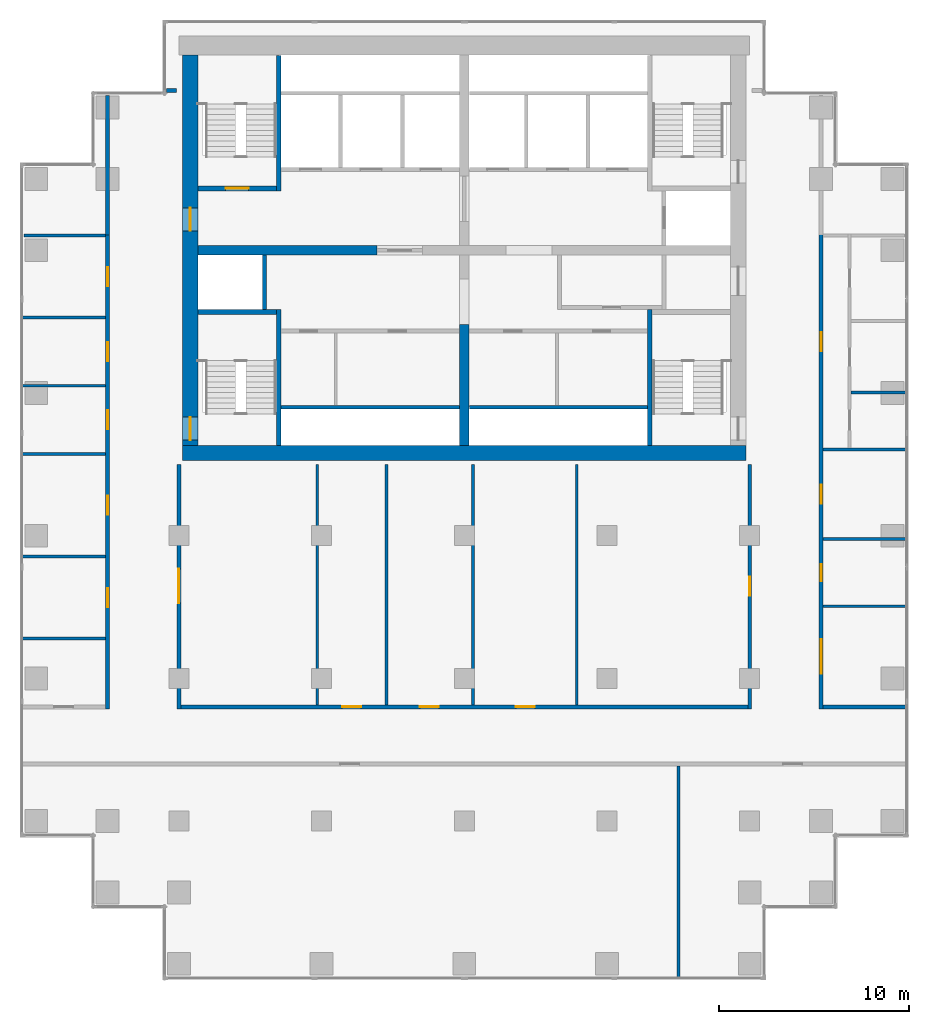
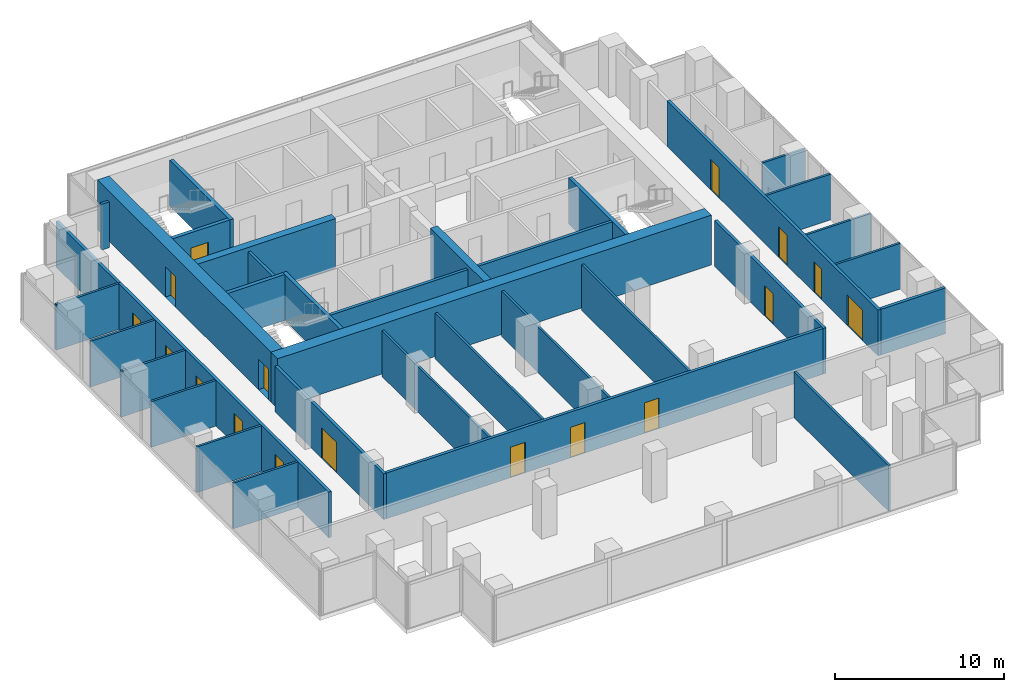
# One storey, part 7 of 10: 35 walls, 17 doors, 17 openings.
"""IFC4 building model written with IfcOpenShell, lengths in metres."""

from ifc_helpers import new_model, si_unit, direction, frame, frame_2d, origin, place, context, subcontext, project, spatial, rectangle, extrude, material, layer, layer_set, type_object, element, fill, save


model = new_model("IFC4")

# Units and contexts
model_context = context("Model", 3, precision=1e-05, world=origin(), true_north=direction((0.0, 1.0)))
body_context = subcontext(model_context, "Body", "Model", "MODEL_VIEW")
ifc_project = project(units=[si_unit("LENGTHUNIT", "METRE"), si_unit("AREAUNIT", "SQUARE_METRE"), si_unit("VOLUMEUNIT", "CUBIC_METRE"), si_unit("PLANEANGLEUNIT", "RADIAN"), si_unit("MASSUNIT", "GRAM", prefix="KILO")], contexts=[model_context])

# Site, building, storey
site_placement = place(None, origin())
site = spatial("IfcSite", under=ifc_project, at=site_placement, CompositionType="ELEMENT")
building_placement = place(site_placement, origin())
building = spatial("IfcBuilding", under=site, at=building_placement, Name="Pilkhan Gate Tower", CompositionType="ELEMENT")
storey_placement = place(building_placement, frame((0.0, 0.0, 176.5)))
storey = spatial("IfcBuildingStorey", under=building, at=storey_placement, Name="L45", CompositionType="ELEMENT", Elevation=176.5)

# Wall
ifc_material_1 = material(Name="Concrete C60/75", Category="concrete")
ifc_layer_1 = layer(ifc_material_1, 0.800048828125)
ifc_layer_set_1 = layer_set([ifc_layer_1], Name="Core wall CW800 C60/75")
wall_type_1 = type_object("IfcWallType", Name="Core wall CW800 C60/75", PredefinedType="SHEAR", material=ifc_layer_set_1)
wall_1_placement = place(storey_placement, frame((60.199951171875, 71.85009765625, 0.0), z_axis=(0.0, 0.0, 1.0), x_axis=(1.0, 0.0, 0.0)))
element("IfcWall", 1, at=wall_1_placement, inside=storey, type_object=wall_type_1, Name="Core wall S L45", PredefinedType="SHEAR", context=body_context, shape_type="SweptSolid", body=[
    extrude(rectangle(XDim=29.60009765625, YDim=0.800048828125, at=frame_2d((14.800048828125, 0.0))), origin(), (0.0, 0.0, 1.0), 3.60009765625),
])

# Wall, openings, doors
wall_2_placement = place(storey_placement, frame((60.60009765625, 92.75, 0.0), z_axis=(0.0, 0.0, 1.0), x_axis=(0.0, -1.0, 0.0)))
wall_2 = element("IfcWall", 2, at=wall_2_placement, inside=storey, type_object=wall_type_1, Name="Core wall W L45", PredefinedType="SHEAR", context=body_context, shape_type="SweptSolid", body=[
    extrude(rectangle(XDim=20.5, YDim=0.800048828125, at=frame_2d((10.25, 0.0))), origin(), (0.0, 0.0, 1.0), 3.60009765625),
])
opening_1_placement = place(wall_2_placement, frame((19.02490234375, 0.0, 0.0)))
opening_1 = element("IfcOpeningElement", 3, at=opening_1_placement, cuts=wall_2, Name="Opening L45-04", PredefinedType="OPENING", context=body_context, shape_type="SweptSolid", body=[
    extrude(rectangle(XDim=1.199951171875, YDim=2.199951171875, at=frame_2d((0.60009765625, 1.10009765625))), frame((0.0, 0.409912109375, 0.0), z_axis=(0.0, -1.0, 0.0), x_axis=(1.0, 0.0, 0.0)), (0.0, 0.0, 1.0), 0.820068359375),
])
opening_2_placement = place(wall_2_placement, frame((8.02490234375, 0.0, 0.0)))
opening_2 = element("IfcOpeningElement", 4, at=opening_2_placement, cuts=wall_2, Name="Opening L45-10", PredefinedType="OPENING", context=body_context, shape_type="SweptSolid", body=[
    extrude(rectangle(XDim=1.199951171875, YDim=2.199951171875, at=frame_2d((0.60009765625, 1.10009765625))), frame((0.0, 0.409912109375, 0.0), z_axis=(0.0, -1.0, 0.0), x_axis=(1.0, 0.0, 0.0)), (0.0, 0.0, 1.0), 0.820068359375),
])
ifc_material_2 = material(Name="Steel door, 120 minute fire resisting, self-closing", Category="steel")
door_type_1 = type_object("IfcDoorType", Name="Firefighting lobby door D10 1200x2200", OperationType="SINGLE_SWING_LEFT", PredefinedType="DOOR", material=ifc_material_2)
door_1_placement = place(opening_2_placement, origin())
door_1 = element("IfcDoor", 5, at=door_1_placement, inside=storey, type_object=door_type_1, Name="Core door", OperationType="SINGLE_SWING_LEFT", OverallHeight=2.199951171875, OverallWidth=1.199951171875, PredefinedType="DOOR", context=body_context, shape_type="SweptSolid", body=[
    extrude(rectangle(XDim=1.199951171875, YDim=2.199951171875, at=frame_2d((0.60009765625, 1.10009765625))), frame((0.0, 0.02490234375, 0.0), z_axis=(0.0, -1.0, 0.0), x_axis=(1.0, 0.0, 0.0)), (0.0, 0.0, 1.0), 0.050048828125),
])
fill(opening_2, door_1)
ifc_material_3 = material(Name="Steel door, 120 minute fire resisting, panic bar", Category="steel")
door_type_2 = type_object("IfcDoorType", Name="Stair door D11 1200x2200", OperationType="SINGLE_SWING_LEFT", PredefinedType="DOOR", material=ifc_material_3)
door_2_placement = place(opening_1_placement, origin())
door_2 = element("IfcDoor", 6, at=door_2_placement, inside=storey, type_object=door_type_2, Name="Stair ST2 door", OperationType="SINGLE_SWING_LEFT", OverallHeight=2.199951171875, OverallWidth=1.199951171875, PredefinedType="DOOR", context=body_context, shape_type="SweptSolid", body=[
    extrude(rectangle(XDim=1.199951171875, YDim=2.199951171875, at=frame_2d((0.60009765625, 1.10009765625))), frame((0.0, 0.02490234375, 0.0), z_axis=(0.0, -1.0, 0.0), x_axis=(1.0, 0.0, 0.0)), (0.0, 0.0, 1.0), 0.050048828125),
])
fill(opening_1, door_2)

ifc_material_4 = material(Name="Dense blockwork", Category="masonry")
ifc_layer_2 = layer(ifc_material_4, 0.199951171875)
ifc_layer_set_2 = layer_set([ifc_layer_2], Name="Corridor wall FW200")
wall_type_2 = type_object("IfcWallType", Name="Corridor wall FW200", PredefinedType="PARTITIONING", material=ifc_layer_set_2)
wall_3_placement = place(storey_placement, frame((60.10009765625, 58.5, 0.0), z_axis=(0.0, 0.0, 1.0), x_axis=(1.0, 0.0, 0.0)))
wall_3 = element("IfcWall", 7, at=wall_3_placement, inside=storey, type_object=wall_type_2, Name="Partition L45", PredefinedType="PARTITIONING", context=body_context, shape_type="SweptSolid", body=[
    extrude(rectangle(XDim=29.7998046875, YDim=0.199951171875, at=frame_2d((14.89990234375, 0.0))), origin(), (0.0, 0.0, 1.0), 3.300048828125),
])
opening_3_placement = place(wall_3_placement, frame((8.472900390625, 0.0, 0.0)))
opening_3 = element("IfcOpeningElement", 8, at=opening_3_placement, cuts=wall_3, Name="Opening L45-07", PredefinedType="OPENING", context=body_context, shape_type="SweptSolid", body=[
    extrude(rectangle(XDim=1.0, YDim=2.199951171875, at=frame_2d((0.5, 1.10009765625))), frame((0.0, 0.10986328125, 0.0), z_axis=(0.0, -1.0, 0.0), x_axis=(1.0, 0.0, 0.0)), (0.0, 0.0, 1.0), 0.219970703125),
])
opening_4_placement = place(wall_3_placement, frame((12.55908203125, 0.0, 0.0)))
opening_4 = element("IfcOpeningElement", 9, at=opening_4_placement, cuts=wall_3, Name="Opening L45-30", PredefinedType="OPENING", context=body_context, shape_type="SweptSolid", body=[
    extrude(rectangle(XDim=1.0, YDim=2.199951171875, at=frame_2d((0.5, 1.10009765625))), frame((0.0, 0.10986328125, 0.0), z_axis=(0.0, -1.0, 0.0), x_axis=(1.0, 0.0, 0.0)), (0.0, 0.0, 1.0), 0.219970703125),
])
opening_5_placement = place(wall_3_placement, frame((17.60498046875, 0.0, 0.0)))
opening_5 = element("IfcOpeningElement", 10, at=opening_5_placement, cuts=wall_3, Name="Opening L45-31", PredefinedType="OPENING", context=body_context, shape_type="SweptSolid", body=[
    extrude(rectangle(XDim=1.0, YDim=2.199951171875, at=frame_2d((0.5, 1.10009765625))), frame((0.0, 0.10986328125, 0.0), z_axis=(0.0, -1.0, 0.0), x_axis=(1.0, 0.0, 0.0)), (0.0, 0.0, 1.0), 0.219970703125),
])
ifc_material_5 = material(Name="Timber flush door, 30 minute fire resisting", Category="wood")
door_type_3 = type_object("IfcDoorType", Name="Room door D03 1000x2200", OperationType="SINGLE_SWING_LEFT", PredefinedType="DOOR", material=ifc_material_5)
door_3_placement = place(opening_3_placement, origin())
door_3 = element("IfcDoor", 11, at=door_3_placement, inside=storey, type_object=door_type_3, Name="Room door", OperationType="SINGLE_SWING_LEFT", OverallHeight=2.199951171875, OverallWidth=1.0, PredefinedType="DOOR", context=body_context, shape_type="SweptSolid", body=[
    extrude(rectangle(XDim=1.0, YDim=2.199951171875, at=frame_2d((0.5, 1.10009765625))), frame((0.0, 0.02490234375, 0.0), z_axis=(0.0, -1.0, 0.0), x_axis=(1.0, 0.0, 0.0)), (0.0, 0.0, 1.0), 0.050048828125),
])
fill(opening_3, door_3)
door_4_placement = place(opening_4_placement, origin())
door_4 = element("IfcDoor", 12, at=door_4_placement, inside=storey, type_object=door_type_3, Name="Room door", OperationType="SINGLE_SWING_LEFT", OverallHeight=2.199951171875, OverallWidth=1.0, PredefinedType="DOOR", context=body_context, shape_type="SweptSolid", body=[
    extrude(rectangle(XDim=1.0, YDim=2.199951171875, at=frame_2d((0.5, 1.10009765625))), frame((0.0, 0.02490234375, 0.0), z_axis=(0.0, -1.0, 0.0), x_axis=(1.0, 0.0, 0.0)), (0.0, 0.0, 1.0), 0.050048828125),
])
fill(opening_4, door_4)
door_5_placement = place(opening_5_placement, origin())
door_5 = element("IfcDoor", 13, at=door_5_placement, inside=storey, type_object=door_type_3, Name="Room door", OperationType="SINGLE_SWING_LEFT", OverallHeight=2.199951171875, OverallWidth=1.0, PredefinedType="DOOR", context=body_context, shape_type="SweptSolid", body=[
    extrude(rectangle(XDim=1.0, YDim=2.199951171875, at=frame_2d((0.5, 1.10009765625))), frame((0.0, 0.02490234375, 0.0), z_axis=(0.0, -1.0, 0.0), x_axis=(1.0, 0.0, 0.0)), (0.0, 0.0, 1.0), 0.050048828125),
])
fill(opening_5, door_5)

# Walls
wall_4_placement = place(storey_placement, frame((93.85009765625, 58.5, 0.0), z_axis=(0.0, 0.0, 1.0), x_axis=(1.0, 0.0, 0.0)))
element("IfcWall", 14, at=wall_4_placement, inside=storey, type_object=wall_type_2, Name="Partition L45", PredefinedType="PARTITIONING", context=body_context, shape_type="SweptSolid", body=[
    extrude(rectangle(XDim=4.414794921875, YDim=0.199951171875, at=frame_2d((2.20751953125, 0.0))), origin(), (0.0, 0.0, 1.0), 3.300048828125),
])
wall_5_placement = place(storey_placement, frame((59.35498046875, 90.89990234375, 0.0), z_axis=(0.0, 0.0, 1.0), x_axis=(1.0, 0.0, 0.0)))
element("IfcWall", 15, at=wall_5_placement, inside=storey, type_object=wall_type_2, Name="Partition L45", PredefinedType="PARTITIONING", context=body_context, shape_type="SweptSolid", body=[
    extrude(rectangle(XDim=0.52490234375, YDim=0.199951171875, at=frame_2d((0.262451171875, 0.0))), origin(), (0.0, 0.0, 1.0), 3.300048828125),
])

# Wall, openings, doors
wall_6_placement = place(storey_placement, frame((56.25, 58.39990234375, 0.0), z_axis=(0.0, 0.0, 1.0), x_axis=(0.0, 1.0, 0.0)))
wall_6 = element("IfcWall", 16, at=wall_6_placement, inside=storey, type_object=wall_type_2, Name="Partition L45", PredefinedType="PARTITIONING", context=body_context, shape_type="SweptSolid", body=[
    extrude(rectangle(XDim=24.955078125, YDim=0.199951171875, at=frame_2d((12.4775390625, 0.0))), origin(), (0.0, 0.0, 1.0), 3.300048828125),
])
opening_6_placement = place(wall_6_placement, frame((5.341064453125, 0.0, 0.0)))
opening_6 = element("IfcOpeningElement", 17, at=opening_6_placement, cuts=wall_6, Name="Opening L45-18", PredefinedType="OPENING", context=body_context, shape_type="SweptSolid", body=[
    extrude(rectangle(XDim=1.0, YDim=2.199951171875, at=frame_2d((0.5, 1.10009765625))), frame((0.0, 0.10986328125, 0.0), z_axis=(0.0, -1.0, 0.0), x_axis=(1.0, 0.0, 0.0)), (0.0, 0.0, 1.0), 0.219970703125),
])
opening_7_placement = place(wall_6_placement, frame((10.200927734375, 0.0, 0.0)))
opening_7 = element("IfcOpeningElement", 18, at=opening_7_placement, cuts=wall_6, Name="Opening L45-19", PredefinedType="OPENING", context=body_context, shape_type="SweptSolid", body=[
    extrude(rectangle(XDim=1.0, YDim=2.199951171875, at=frame_2d((0.5, 1.10009765625))), frame((0.0, 0.10986328125, 0.0), z_axis=(0.0, -1.0, 0.0), x_axis=(1.0, 0.0, 0.0)), (0.0, 0.0, 1.0), 0.219970703125),
])
opening_8_placement = place(wall_6_placement, frame((14.68798828125, 0.0, 0.0)))
opening_8 = element("IfcOpeningElement", 19, at=opening_8_placement, cuts=wall_6, Name="Opening L45-20", PredefinedType="OPENING", context=body_context, shape_type="SweptSolid", body=[
    extrude(rectangle(XDim=1.0, YDim=2.199951171875, at=frame_2d((0.5, 1.10009765625))), frame((0.0, 0.10986328125, 0.0), z_axis=(0.0, -1.0, 0.0), x_axis=(1.0, 0.0, 0.0)), (0.0, 0.0, 1.0), 0.219970703125),
])
opening_9_placement = place(wall_6_placement, frame((18.279052734375, 0.0, 0.0)))
opening_9 = element("IfcOpeningElement", 20, at=opening_9_placement, cuts=wall_6, Name="Opening L45-21", PredefinedType="OPENING", context=body_context, shape_type="SweptSolid", body=[
    extrude(rectangle(XDim=1.0, YDim=2.199951171875, at=frame_2d((0.5, 1.10009765625))), frame((0.0, 0.10986328125, 0.0), z_axis=(0.0, -1.0, 0.0), x_axis=(1.0, 0.0, 0.0)), (0.0, 0.0, 1.0), 0.219970703125),
])
opening_10_placement = place(wall_6_placement, frame((22.219970703125, 0.0, 0.0)))
opening_10 = element("IfcOpeningElement", 21, at=opening_10_placement, cuts=wall_6, Name="Opening L45-22", PredefinedType="OPENING", context=body_context, shape_type="SweptSolid", body=[
    extrude(rectangle(XDim=1.0, YDim=2.199951171875, at=frame_2d((0.5, 1.10009765625))), frame((0.0, 0.10986328125, 0.0), z_axis=(0.0, -1.0, 0.0), x_axis=(1.0, 0.0, 0.0)), (0.0, 0.0, 1.0), 0.219970703125),
])
door_6_placement = place(opening_6_placement, origin())
door_6 = element("IfcDoor", 22, at=door_6_placement, inside=storey, type_object=door_type_3, Name="Room door", OperationType="SINGLE_SWING_LEFT", OverallHeight=2.199951171875, OverallWidth=1.0, PredefinedType="DOOR", context=body_context, shape_type="SweptSolid", body=[
    extrude(rectangle(XDim=1.0, YDim=2.199951171875, at=frame_2d((0.5, 1.10009765625))), frame((0.0, 0.02490234375, 0.0), z_axis=(0.0, -1.0, 0.0), x_axis=(1.0, 0.0, 0.0)), (0.0, 0.0, 1.0), 0.050048828125),
])
fill(opening_6, door_6)
door_7_placement = place(opening_7_placement, origin())
door_7 = element("IfcDoor", 23, at=door_7_placement, inside=storey, type_object=door_type_3, Name="Room door", OperationType="SINGLE_SWING_RIGHT", OverallHeight=2.199951171875, OverallWidth=1.0, PredefinedType="DOOR", context=body_context, shape_type="SweptSolid", body=[
    extrude(rectangle(XDim=1.0, YDim=2.199951171875, at=frame_2d((0.5, 1.10009765625))), frame((0.0, 0.02490234375, 0.0), z_axis=(0.0, -1.0, 0.0), x_axis=(1.0, 0.0, 0.0)), (0.0, 0.0, 1.0), 0.050048828125),
])
fill(opening_7, door_7)
door_8_placement = place(opening_8_placement, origin())
door_8 = element("IfcDoor", 24, at=door_8_placement, inside=storey, type_object=door_type_3, Name="Room door", OperationType="SINGLE_SWING_LEFT", OverallHeight=2.199951171875, OverallWidth=1.0, PredefinedType="DOOR", context=body_context, shape_type="SweptSolid", body=[
    extrude(rectangle(XDim=1.0, YDim=2.199951171875, at=frame_2d((0.5, 1.10009765625))), frame((0.0, 0.02490234375, 0.0), z_axis=(0.0, -1.0, 0.0), x_axis=(1.0, 0.0, 0.0)), (0.0, 0.0, 1.0), 0.050048828125),
])
fill(opening_8, door_8)
door_9_placement = place(opening_9_placement, origin())
door_9 = element("IfcDoor", 25, at=door_9_placement, inside=storey, type_object=door_type_3, Name="Room door", OperationType="SINGLE_SWING_RIGHT", OverallHeight=2.199951171875, OverallWidth=1.0, PredefinedType="DOOR", context=body_context, shape_type="SweptSolid", body=[
    extrude(rectangle(XDim=1.0, YDim=2.199951171875, at=frame_2d((0.5, 1.10009765625))), frame((0.0, 0.02490234375, 0.0), z_axis=(0.0, -1.0, 0.0), x_axis=(1.0, 0.0, 0.0)), (0.0, 0.0, 1.0), 0.050048828125),
])
fill(opening_9, door_9)
door_10_placement = place(opening_10_placement, origin())
door_10 = element("IfcDoor", 26, at=door_10_placement, inside=storey, type_object=door_type_3, Name="Room door", OperationType="SINGLE_SWING_RIGHT", OverallHeight=2.199951171875, OverallWidth=1.0, PredefinedType="DOOR", context=body_context, shape_type="SweptSolid", body=[
    extrude(rectangle(XDim=1.0, YDim=2.199951171875, at=frame_2d((0.5, 1.10009765625))), frame((0.0, 0.02490234375, 0.0), z_axis=(0.0, -1.0, 0.0), x_axis=(1.0, 0.0, 0.0)), (0.0, 0.0, 1.0), 0.050048828125),
])
fill(opening_10, door_10)

# Wall
wall_7_placement = place(storey_placement, frame((56.25, 83.31005859375, 0.0), z_axis=(0.0, 0.0, 1.0), x_axis=(0.0, 1.0, 0.0)))
element("IfcWall", 27, at=wall_7_placement, inside=storey, type_object=wall_type_2, Name="Partition L45", PredefinedType="PARTITIONING", context=body_context, shape_type="SweptSolid", body=[
    extrude(rectangle(XDim=7.3349609375, YDim=0.199951171875, at=frame_2d((3.66748046875, 0.0))), origin(), (0.0, 0.0, 1.0), 3.300048828125),
])

# Wall, opening, door
wall_8_placement = place(storey_placement, frame((60.0, 58.39990234375, 0.0), z_axis=(0.0, 0.0, 1.0), x_axis=(0.0, 1.0, 0.0)))
wall_8 = element("IfcWall", 28, at=wall_8_placement, inside=storey, type_object=wall_type_2, Name="Partition L45", PredefinedType="PARTITIONING", context=body_context, shape_type="SweptSolid", body=[
    extrude(rectangle(XDim=12.85009765625, YDim=0.199951171875, at=frame_2d((6.425048828125, 0.0))), origin(), (0.0, 0.0, 1.0), 3.300048828125),
])
opening_11_placement = place(wall_8_placement, frame((5.550048828125, 0.0, 0.0)))
opening_11 = element("IfcOpeningElement", 29, at=opening_11_placement, cuts=wall_8, Name="Opening L45-29", PredefinedType="OPENING", context=body_context, shape_type="SweptSolid", body=[
    extrude(rectangle(XDim=1.800048828125, YDim=2.199951171875, at=frame_2d((0.89990234375, 1.10009765625))), frame((0.0, 0.10986328125, 0.0), z_axis=(0.0, -1.0, 0.0), x_axis=(1.0, 0.0, 0.0)), (0.0, 0.0, 1.0), 0.219970703125),
])
ifc_material_6 = material(Name="Timber glazed double door, 30 minute fire resisting", Category="wood")
door_type_4 = type_object("IfcDoorType", Name="Double door D04 1800x2200", OperationType="DOUBLE_DOOR_SINGLE_SWING", PredefinedType="DOOR", material=ifc_material_6)
door_11_placement = place(opening_11_placement, origin())
door_11 = element("IfcDoor", 30, at=door_11_placement, inside=storey, type_object=door_type_4, Name="Double door", OperationType="DOUBLE_DOOR_SINGLE_SWING", OverallHeight=2.199951171875, OverallWidth=1.800048828125, PredefinedType="DOOR", context=body_context, shape_type="SweptSolid", body=[
    extrude(rectangle(XDim=1.800048828125, YDim=2.199951171875, at=frame_2d((0.89990234375, 1.10009765625))), frame((0.0, 0.02490234375, 0.0), z_axis=(0.0, -1.0, 0.0), x_axis=(1.0, 0.0, 0.0)), (0.0, 0.0, 1.0), 0.050048828125),
])
fill(opening_11, door_11)

wall_9_placement = place(storey_placement, frame((90.0, 58.39990234375, 0.0), z_axis=(0.0, 0.0, 1.0), x_axis=(0.0, 1.0, 0.0)))
wall_9 = element("IfcWall", 31, at=wall_9_placement, inside=storey, type_object=wall_type_2, Name="Partition L45", PredefinedType="PARTITIONING", context=body_context, shape_type="SweptSolid", body=[
    extrude(rectangle(XDim=12.85009765625, YDim=0.199951171875, at=frame_2d((6.425048828125, 0.0))), origin(), (0.0, 0.0, 1.0), 3.300048828125),
])
opening_12_placement = place(wall_9_placement, frame((5.949951171875, 0.0, 0.0)))
opening_12 = element("IfcOpeningElement", 32, at=opening_12_placement, cuts=wall_9, Name="Opening L45-32", PredefinedType="OPENING", context=body_context, shape_type="SweptSolid", body=[
    extrude(rectangle(XDim=1.0, YDim=2.199951171875, at=frame_2d((0.5, 1.10009765625))), frame((0.0, 0.10986328125, 0.0), z_axis=(0.0, -1.0, 0.0), x_axis=(1.0, 0.0, 0.0)), (0.0, 0.0, 1.0), 0.219970703125),
])
door_12_placement = place(opening_12_placement, origin())
door_12 = element("IfcDoor", 33, at=door_12_placement, inside=storey, type_object=door_type_3, Name="Room door", OperationType="SINGLE_SWING_LEFT", OverallHeight=2.199951171875, OverallWidth=1.0, PredefinedType="DOOR", context=body_context, shape_type="SweptSolid", body=[
    extrude(rectangle(XDim=1.0, YDim=2.199951171875, at=frame_2d((0.5, 1.10009765625))), frame((0.0, 0.02490234375, 0.0), z_axis=(0.0, -1.0, 0.0), x_axis=(1.0, 0.0, 0.0)), (0.0, 0.0, 1.0), 0.050048828125),
])
fill(opening_12, door_12)

# Wall, openings, doors
wall_10_placement = place(storey_placement, frame((93.75, 58.39990234375, 0.0), z_axis=(0.0, 0.0, 1.0), x_axis=(0.0, 1.0, 0.0)))
wall_10 = element("IfcWall", 34, at=wall_10_placement, inside=storey, type_object=wall_type_2, Name="Partition L45", PredefinedType="PARTITIONING", context=body_context, shape_type="SweptSolid", body=[
    extrude(rectangle(XDim=24.955078125, YDim=0.199951171875, at=frame_2d((12.4775390625, 0.0))), origin(), (0.0, 0.0, 1.0), 3.300048828125),
])
opening_13_placement = place(wall_10_placement, frame((18.780029296875, 0.0, 0.0)))
opening_13 = element("IfcOpeningElement", 35, at=opening_13_placement, cuts=wall_10, Name="Opening L45-06", PredefinedType="OPENING", context=body_context, shape_type="SweptSolid", body=[
    extrude(rectangle(XDim=1.0, YDim=2.199951171875, at=frame_2d((0.5, 1.10009765625))), frame((0.0, 0.10986328125, 0.0), z_axis=(0.0, -1.0, 0.0), x_axis=(1.0, 0.0, 0.0)), (0.0, 0.0, 1.0), 0.219970703125),
])
opening_14_placement = place(wall_10_placement, frame((1.85009765625, 0.0, 0.0)))
opening_14 = element("IfcOpeningElement", 36, at=opening_14_placement, cuts=wall_10, Name="Opening L45-26", PredefinedType="OPENING", context=body_context, shape_type="SweptSolid", body=[
    extrude(rectangle(XDim=1.800048828125, YDim=2.199951171875, at=frame_2d((0.89990234375, 1.10009765625))), frame((0.0, 0.10986328125, 0.0), z_axis=(0.0, -1.0, 0.0), x_axis=(1.0, 0.0, 0.0)), (0.0, 0.0, 1.0), 0.219970703125),
])
opening_15_placement = place(wall_10_placement, frame((6.694091796875, 0.0, 0.0)))
opening_15 = element("IfcOpeningElement", 37, at=opening_15_placement, cuts=wall_10, Name="Opening L45-27", PredefinedType="OPENING", context=body_context, shape_type="SweptSolid", body=[
    extrude(rectangle(XDim=0.89990234375, YDim=2.199951171875, at=frame_2d((0.449951171875, 1.10009765625))), frame((0.0, 0.10986328125, 0.0), z_axis=(0.0, -1.0, 0.0), x_axis=(1.0, 0.0, 0.0)), (0.0, 0.0, 1.0), 0.219970703125),
])
opening_16_placement = place(wall_10_placement, frame((10.77392578125, 0.0, 0.0)))
opening_16 = element("IfcOpeningElement", 38, at=opening_16_placement, cuts=wall_10, Name="Opening L45-28", PredefinedType="OPENING", context=body_context, shape_type="SweptSolid", body=[
    extrude(rectangle(XDim=1.0, YDim=2.199951171875, at=frame_2d((0.5, 1.10009765625))), frame((0.0, 0.10986328125, 0.0), z_axis=(0.0, -1.0, 0.0), x_axis=(1.0, 0.0, 0.0)), (0.0, 0.0, 1.0), 0.219970703125),
])
door_13_placement = place(opening_14_placement, origin())
door_13 = element("IfcDoor", 39, at=door_13_placement, inside=storey, type_object=door_type_4, Name="Double door", OperationType="DOUBLE_DOOR_SINGLE_SWING", OverallHeight=2.199951171875, OverallWidth=1.800048828125, PredefinedType="DOOR", context=body_context, shape_type="SweptSolid", body=[
    extrude(rectangle(XDim=1.800048828125, YDim=2.199951171875, at=frame_2d((0.89990234375, 1.10009765625))), frame((0.0, 0.02490234375, 0.0), z_axis=(0.0, -1.0, 0.0), x_axis=(1.0, 0.0, 0.0)), (0.0, 0.0, 1.0), 0.050048828125),
])
fill(opening_14, door_13)
door_14_placement = place(opening_13_placement, origin())
door_14 = element("IfcDoor", 40, at=door_14_placement, inside=storey, type_object=door_type_3, Name="Toilet lobby door", OperationType="SINGLE_SWING_LEFT", OverallHeight=2.199951171875, OverallWidth=1.0, PredefinedType="DOOR", context=body_context, shape_type="SweptSolid", body=[
    extrude(rectangle(XDim=1.0, YDim=2.199951171875, at=frame_2d((0.5, 1.10009765625))), frame((0.0, 0.02490234375, 0.0), z_axis=(0.0, -1.0, 0.0), x_axis=(1.0, 0.0, 0.0)), (0.0, 0.0, 1.0), 0.050048828125),
])
fill(opening_13, door_14)
door_15_placement = place(opening_16_placement, origin())
door_15 = element("IfcDoor", 41, at=door_15_placement, inside=storey, type_object=door_type_3, Name="Room door", OperationType="SINGLE_SWING_RIGHT", OverallHeight=2.199951171875, OverallWidth=1.0, PredefinedType="DOOR", context=body_context, shape_type="SweptSolid", body=[
    extrude(rectangle(XDim=1.0, YDim=2.199951171875, at=frame_2d((0.5, 1.10009765625))), frame((0.0, 0.02490234375, 0.0), z_axis=(0.0, -1.0, 0.0), x_axis=(1.0, 0.0, 0.0)), (0.0, 0.0, 1.0), 0.050048828125),
])
fill(opening_16, door_15)
ifc_material_7 = material(Name="Timber flush door, 60 minute fire resisting, self-closing", Category="wood")
door_type_5 = type_object("IfcDoorType", Name="Store door D05 900x2200", OperationType="SINGLE_SWING_LEFT", PredefinedType="DOOR", material=ifc_material_7)
door_16_placement = place(opening_15_placement, origin())
door_16 = element("IfcDoor", 42, at=door_16_placement, inside=storey, type_object=door_type_5, Name="Store door", OperationType="SINGLE_SWING_LEFT", OverallHeight=2.199951171875, OverallWidth=0.89990234375, PredefinedType="DOOR", context=body_context, shape_type="SweptSolid", body=[
    extrude(rectangle(XDim=0.89990234375, YDim=2.199951171875, at=frame_2d((0.449951171875, 1.10009765625))), frame((0.0, 0.02490234375, 0.0), z_axis=(0.0, -1.0, 0.0), x_axis=(1.0, 0.0, 0.0)), (0.0, 0.0, 1.0), 0.050048828125),
])
fill(opening_15, door_16)

# Walls
ifc_layer_3 = layer(ifc_material_4, 0.199951171875)
ifc_layer_set_3 = layer_set([ifc_layer_3], Name="Lobby wall LW200")
wall_type_3 = type_object("IfcWallType", Name="Lobby wall LW200", PredefinedType="PARTITIONING", material=ifc_layer_set_3)
for number, where, z_axis, x_axis, name in (
    (43, (65.375, 74.25, 0.0), (0.0, 0.0, 1.0), (1.0, 0.0, 0.0), "Partition L45"),
    (44, (75.260009765625, 74.25, 0.0), (0.0, 0.0, 1.0), (1.0, 0.0, 0.0), "Partition L45"),
):
    element("IfcWall", number, at=place(storey_placement, frame(where, z_axis=z_axis, x_axis=x_axis)), inside=storey, type_object=wall_type_3, Name=name, PredefinedType="PARTITIONING", context=body_context, shape_type="SweptSolid", body=[
        extrude(rectangle(XDim=9.364990234375, YDim=0.199951171875, at=frame_2d((4.6826171875, 0.0))), origin(), (0.0, 0.0, 1.0), 3.300048828125),
    ])
ifc_material_8 = material(Name="Blockwork partition, plastered both sides", Category="masonry")
ifc_layer_4 = layer(ifc_material_8, 0.14990234375)
ifc_layer_set_4 = layer_set([ifc_layer_4], Name="Partition PW150")
wall_type_4 = type_object("IfcWallType", Name="Partition PW150", PredefinedType="PARTITIONING", material=ifc_layer_set_4)
for number, where, z_axis, x_axis, name in (
    (45, (51.735107421875, 62.091064453125, 0.0), (0.0, 0.0, 1.0), (1.0, 0.0, 0.0), "Partition L45"),
    (46, (93.85009765625, 63.7939453125, 0.0), (0.0, 0.0, 1.0), (1.0, 0.0, 0.0), "Partition L45"),
    (47, (51.735107421875, 66.40087890625, 0.0), (0.0, 0.0, 1.0), (1.0, 0.0, 0.0), "Partition L45"),
    (48, (93.85009765625, 67.323974609375, 0.0), (0.0, 0.0, 1.0), (1.0, 0.0, 0.0), "Partition L45"),
    (49, (51.735107421875, 71.7880859375, 0.0), (0.0, 0.0, 1.0), (1.0, 0.0, 0.0), "Partition L45"),
    (50, (93.85009765625, 72.030029296875, 0.0), (0.0, 0.0, 1.0), (1.0, 0.0, 0.0), "Partition L45"),
):
    element("IfcWall", number, at=place(storey_placement, frame(where, z_axis=z_axis, x_axis=x_axis)), inside=storey, type_object=wall_type_4, Name=name, PredefinedType="PARTITIONING", context=body_context, shape_type="SweptSolid", body=[
        extrude(rectangle(XDim=4.414794921875, YDim=0.14990234375, at=frame_2d((2.20751953125, 0.0))), origin(), (0.0, 0.0, 1.0), 3.300048828125),
    ])
wall_11_placement = place(storey_placement, frame((95.324951171875, 75.030029296875, 0.0), z_axis=(0.0, 0.0, 1.0), x_axis=(1.0, 0.0, 0.0)))
element("IfcWall", 51, at=wall_11_placement, inside=storey, type_object=wall_type_4, Name="Partition L45", PredefinedType="PARTITIONING", context=body_context, shape_type="SweptSolid", body=[
    extrude(rectangle(XDim=2.93994140625, YDim=0.14990234375, at=frame_2d((1.469970703125, 0.0))), origin(), (0.0, 0.0, 1.0), 3.300048828125),
])
for number, where, z_axis, x_axis, name in (
    (52, (51.735107421875, 75.37890625, 0.0), (0.0, 0.0, 1.0), (1.0, 0.0, 0.0), "Partition L45"),
    (53, (51.735107421875, 78.969970703125, 0.0), (0.0, 0.0, 1.0), (1.0, 0.0, 0.0), "Partition L45"),
):
    element("IfcWall", number, at=place(storey_placement, frame(where, z_axis=z_axis, x_axis=x_axis)), inside=storey, type_object=wall_type_4, Name=name, PredefinedType="PARTITIONING", context=body_context, shape_type="SweptSolid", body=[
        extrude(rectangle(XDim=4.414794921875, YDim=0.14990234375, at=frame_2d((2.20751953125, 0.0))), origin(), (0.0, 0.0, 1.0), 3.300048828125),
    ])
wall_12_placement = place(storey_placement, frame((51.85498046875, 83.280029296875, 0.0), z_axis=(0.0, 0.0, 1.0), x_axis=(1.0, 0.0, 0.0)))
element("IfcWall", 54, at=wall_12_placement, inside=storey, type_object=wall_type_4, Name="Partition L45", PredefinedType="PARTITIONING", context=body_context, shape_type="SweptSolid", body=[
    extrude(rectangle(XDim=4.294921875, YDim=0.14990234375, at=frame_2d((2.1474609375, 0.0))), origin(), (0.0, 0.0, 1.0), 3.300048828125),
])
for number, where, z_axis, x_axis, name in (
    (55, (67.27294921875, 58.60009765625, 0.0), (0.0, 0.0, 1.0), (0.0, 1.0, 0.0), "Partition L45"),
    (56, (70.908935546875, 58.60009765625, 0.0), (0.0, 0.0, 1.0), (0.0, 1.0, 0.0), "Partition L45"),
    (57, (75.455078125, 58.60009765625, 0.0), (0.0, 0.0, 1.0), (0.0, 1.0, 0.0), "Partition L45"),
    (58, (80.908935546875, 58.60009765625, 0.0), (0.0, 0.0, 1.0), (0.0, 1.0, 0.0), "Partition L45"),
):
    element("IfcWall", number, at=place(storey_placement, frame(where, z_axis=z_axis, x_axis=x_axis)), inside=storey, type_object=wall_type_4, Name=name, PredefinedType="PARTITIONING", context=body_context, shape_type="SweptSolid", body=[
        extrude(rectangle(XDim=12.64990234375, YDim=0.14990234375, at=frame_2d((6.324951171875, 0.0))), origin(), (0.0, 0.0, 1.0), 3.300048828125),
    ])
wall_13_placement = place(storey_placement, frame((86.25, 44.235107421875, 0.0), z_axis=(0.0, 0.0, 1.0), x_axis=(0.0, 1.0, 0.0)))
element("IfcWall", 59, at=wall_13_placement, inside=storey, type_object=wall_type_4, Name="Partition L45", PredefinedType="PARTITIONING", context=body_context, shape_type="SweptSolid", body=[
    extrude(rectangle(XDim=11.164794921875, YDim=0.14990234375, at=frame_2d((5.58251953125, 0.0))), origin(), (0.0, 0.0, 1.0), 3.300048828125),
])
ifc_material_9 = material(Name="Reinforced blockwork shaft wall, 120 minute fire resisting", Category="masonry")
ifc_layer_5 = layer(ifc_material_9, 0.199951171875)
ifc_layer_set_5 = layer_set([ifc_layer_5], Name="Shaft wall SW200")
wall_type_5 = type_object("IfcWallType", Name="Shaft wall SW200", PredefinedType="PARTITIONING", material=ifc_layer_set_5)
wall_14_placement = place(storey_placement, frame((64.5, 79.375, 0.0), z_axis=(0.0, 0.0, 1.0), x_axis=(0.0, 1.0, 0.0)))
element("IfcWall", 60, at=wall_14_placement, inside=storey, type_object=wall_type_5, Name="Partition L45", PredefinedType="PARTITIONING", context=body_context, shape_type="SweptSolid", body=[
    extrude(rectangle(XDim=2.864990234375, YDim=0.199951171875, at=frame_2d((1.4326171875, 0.0))), origin(), (0.0, 0.0, 1.0), 3.300048828125),
])
ifc_layer_6 = layer(ifc_material_1, 0.5)
ifc_layer_set_6 = layer_set([ifc_layer_6], Name="Spine wall SW500 C60/75")
wall_type_6 = type_object("IfcWallType", Name="Spine wall SW500 C60/75", PredefinedType="SHEAR", material=ifc_layer_set_6)
wall_15_placement = place(storey_placement, frame((61.0, 82.5, 0.0), z_axis=(0.0, 0.0, 1.0), x_axis=(1.0, 0.0, 0.0)))
element("IfcWall", 61, at=wall_15_placement, inside=storey, type_object=wall_type_6, Name="Spine wall SP-EW1 L45", PredefinedType="SHEAR", context=body_context, shape_type="SweptSolid", body=[
    extrude(rectangle(XDim=9.39990234375, YDim=0.5, at=frame_2d((4.699951171875, 0.0))), origin(), (0.0, 0.0, 1.0), 3.60009765625),
])
wall_16_placement = place(storey_placement, frame((75.0, 72.25, 0.0), z_axis=(0.0, 0.0, 1.0), x_axis=(0.0, 1.0, 0.0)))
element("IfcWall", 62, at=wall_16_placement, inside=storey, type_object=wall_type_6, Name="Spine wall SP-NS-S1 L45", PredefinedType="SHEAR", context=body_context, shape_type="SweptSolid", body=[
    extrude(rectangle(XDim=6.35009765625, YDim=0.5, at=frame_2d((3.175048828125, 0.0))), origin(), (0.0, 0.0, 1.0), 3.60009765625),
])
ifc_material_10 = material(Name="Reinforced blockwork, 120 minute fire resisting", Category="masonry")
ifc_layer_7 = layer(ifc_material_10, 0.25)
ifc_layer_set_7 = layer_set([ifc_layer_7], Name="Stair enclosure wall SE250")
wall_type_7 = type_object("IfcWallType", Name="Stair enclosure wall SE250", PredefinedType="PARTITIONING", material=ifc_layer_set_7)
wall_17_placement = place(storey_placement, frame((61.010009765625, 79.25, 0.0), z_axis=(0.0, 0.0, 1.0), x_axis=(1.0, 0.0, 0.0)))
element("IfcWall", 63, at=wall_17_placement, inside=storey, type_object=wall_type_7, Name="Partition L45", PredefinedType="PARTITIONING", context=body_context, shape_type="SweptSolid", body=[
    extrude(rectangle(XDim=4.114990234375, YDim=0.25, at=frame_2d((2.0576171875, 0.0))), origin(), (0.0, 0.0, 1.0), 3.300048828125),
])

# Wall, opening, door
wall_18_placement = place(storey_placement, frame((61.010009765625, 85.75, 0.0), z_axis=(0.0, 0.0, 1.0), x_axis=(1.0, 0.0, 0.0)))
wall_18 = element("IfcWall", 64, at=wall_18_placement, inside=storey, type_object=wall_type_7, Name="Partition L45", PredefinedType="PARTITIONING", context=body_context, shape_type="SweptSolid", body=[
    extrude(rectangle(XDim=4.114990234375, YDim=0.25, at=frame_2d((2.0576171875, 0.0))), origin(), (0.0, 0.0, 1.0), 3.300048828125),
])
opening_17_placement = place(wall_18_placement, frame((1.449951171875, 0.0, 0.0)))
opening_17 = element("IfcOpeningElement", 65, at=opening_17_placement, cuts=wall_18, Name="Opening L45-02", PredefinedType="OPENING", context=body_context, shape_type="SweptSolid", body=[
    extrude(rectangle(XDim=1.199951171875, YDim=2.199951171875, at=frame_2d((0.60009765625, 1.10009765625))), frame((0.0, 0.135009765625, 0.0), z_axis=(0.0, -1.0, 0.0), x_axis=(1.0, 0.0, 0.0)), (0.0, 0.0, 1.0), 0.27001953125),
])
door_17_placement = place(opening_17_placement, origin())
door_17 = element("IfcDoor", 66, at=door_17_placement, inside=storey, type_object=door_type_2, Name="Stair ST3 lobby door", OperationType="SINGLE_SWING_LEFT", OverallHeight=2.199951171875, OverallWidth=1.199951171875, PredefinedType="DOOR", context=body_context, shape_type="SweptSolid", body=[
    extrude(rectangle(XDim=1.199951171875, YDim=2.199951171875, at=frame_2d((0.60009765625, 1.10009765625))), frame((0.0, 0.02490234375, 0.0), z_axis=(0.0, -1.0, 0.0), x_axis=(1.0, 0.0, 0.0)), (0.0, 0.0, 1.0), 0.050048828125),
])
fill(opening_17, door_17)

# Walls
wall_19_placement = place(storey_placement, frame((65.25, 72.25, 0.0), z_axis=(0.0, 0.0, 1.0), x_axis=(0.0, 1.0, 0.0)))
element("IfcWall", 67, at=wall_19_placement, inside=storey, type_object=wall_type_7, Name="Partition L45", PredefinedType="PARTITIONING", context=body_context, shape_type="SweptSolid", body=[
    extrude(rectangle(XDim=7.125, YDim=0.25, at=frame_2d((3.5625, 0.0))), origin(), (0.0, 0.0, 1.0), 3.300048828125),
])
wall_20_placement = place(storey_placement, frame((65.25, 85.625, 0.0), z_axis=(0.0, 0.0, 1.0), x_axis=(0.0, 1.0, 0.0)))
element("IfcWall", 68, at=wall_20_placement, inside=storey, type_object=wall_type_7, Name="Partition L45", PredefinedType="PARTITIONING", context=body_context, shape_type="SweptSolid", body=[
    extrude(rectangle(XDim=7.114990234375, YDim=0.25, at=frame_2d((3.5576171875, 0.0))), origin(), (0.0, 0.0, 1.0), 3.300048828125),
])
wall_21_placement = place(storey_placement, frame((84.75, 72.25, 0.0), z_axis=(0.0, 0.0, 1.0), x_axis=(0.0, 1.0, 0.0)))
element("IfcWall", 69, at=wall_21_placement, inside=storey, type_object=wall_type_7, Name="Partition L45", PredefinedType="PARTITIONING", context=body_context, shape_type="SweptSolid", body=[
    extrude(rectangle(XDim=7.125, YDim=0.25, at=frame_2d((3.5625, 0.0))), origin(), (0.0, 0.0, 1.0), 3.300048828125),
])

save(model, "model.ifc")
